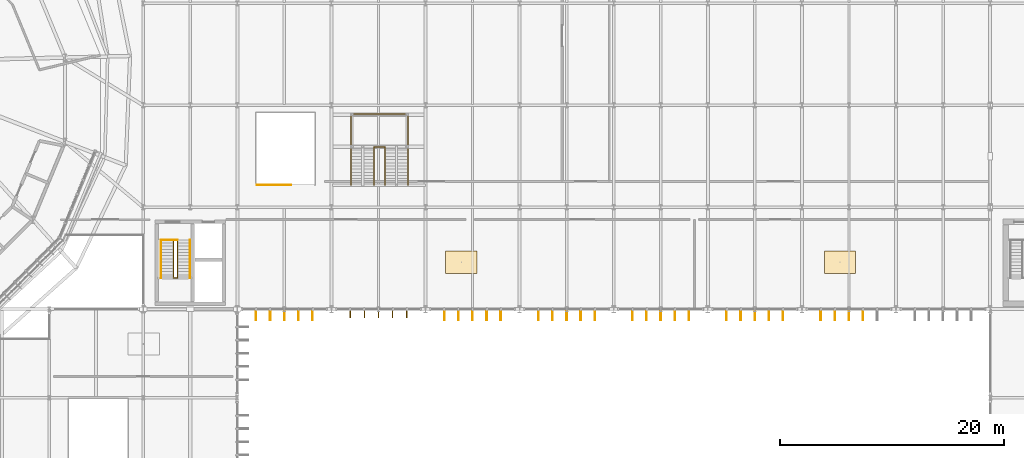
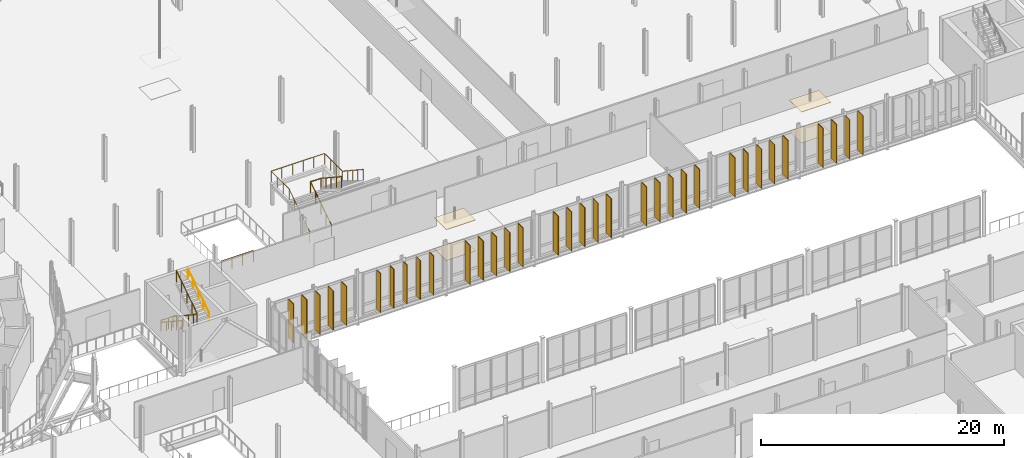
# One storey, part 130 of 139: 34 shading devices, 7 railings, 4 coverings.
"""IFC4 building model written with IfcOpenShell, lengths in metres."""

import ifcopenshell
import ifcopenshell.guid

model = None  # the IFC model being written
_history = None  # IfcOwnerHistory: only IFC2X3 demands one
_inside = {}  # id of a spatial element -> (the spatial element, [elements in it])
_under = {}  # id of a project, library or spatial element -> (it, [spatial elements below it])
_declared = {}  # id of a project -> (the project, [libraries it declares])
_typed = {}  # id of a type object -> (the type object, [elements of that type])
_made_of = {}  # id of a material, layer set ... -> (it, [elements and type objects made of it])


def new_model(schema):
    """Start an empty IFC model of exactly this schema.

    Asked for "IFC4X3", IfcOpenShell would pick the latest addendum, in which some entities
    have other attributes; the version numbers below select the first issue.
    IFC2X3 requires an IfcOwnerHistory on every rooted entity: one is made here for all.
    """
    global model, _history
    if schema == "IFC4X3":
        model = ifcopenshell.file(schema_version=(4, 3, 0, 0))
    else:
        model = ifcopenshell.file(schema=schema)
    _inside.clear()
    _under.clear()
    _declared.clear()
    _typed.clear()
    _made_of.clear()
    _history = None
    if model.schema == "IFC2X3":
        org = make("IfcOrganization", Name="unknown")
        user = make(
            "IfcPersonAndOrganization",
            ThePerson=make("IfcPerson", FamilyName="unknown"),
            TheOrganization=org,
        )
        app = make(
            "IfcApplication",
            ApplicationDeveloper=org,
            Version="unknown",
            ApplicationFullName="unknown",
            ApplicationIdentifier="unknown",
        )
        _history = make(
            "IfcOwnerHistory",
            OwningUser=user,
            OwningApplication=app,
            ChangeAction="ADDED",
            CreationDate=0,
        )
    return model


def make(cls, **values):
    """One entity of the class cls with the attributes given. An attribute that is None is left unset."""
    return model.create_entity(
        cls, **{name: value for name, value in values.items() if value is not None}
    )


def rooted(cls, **values):
    """An entity with a GlobalId (a new one), such as an element, a storey or a relation."""
    return make(cls, GlobalId=ifcopenshell.guid.new(), OwnerHistory=_history, **values)


def si_unit(unit_type, name, prefix=None):
    """IfcSIUnit, for example si_unit("LENGTHUNIT", "METRE", prefix="MILLI")."""
    return make("IfcSIUnit", UnitType=unit_type, Prefix=prefix, Name=name)


def derived_unit(unit_type, elements):
    """IfcDerivedUnit: a product of units, each with its exponent."""
    return make(
        "IfcDerivedUnit",
        Elements=[
            make("IfcDerivedUnitElement", Unit=unit, Exponent=power)
            for unit, power in elements
        ],
        UnitType=unit_type,
    )


def assignment(units):
    """IfcUnitAssignment: the units of a project."""
    return None if units is None else make("IfcUnitAssignment", Units=units)


def point(xyz):
    """IfcCartesianPoint."""
    return None if xyz is None else make("IfcCartesianPoint", Coordinates=xyz)


def direction(xyz):
    """IfcDirection."""
    return None if xyz is None else make("IfcDirection", DirectionRatios=xyz)


def frame(location, z_axis=None, x_axis=None):
    """IfcAxis2Placement3D, a coordinate frame: its origin and axes. An axis left out is left unset."""
    return make(
        "IfcAxis2Placement3D",
        Location=point(location),
        Axis=direction(z_axis),
        RefDirection=direction(x_axis),
    )


def frame_2d(location, x_axis=None):
    """IfcAxis2Placement2D, a coordinate frame in the plane: its origin and x axis."""
    return make(
        "IfcAxis2Placement2D", Location=point(location), RefDirection=direction(x_axis)
    )


def origin():
    """The frame at (0, 0, 0) with its axes left unset."""
    return frame((0.0, 0.0, 0.0))


def origin_2d():
    """The frame at (0, 0) in the plane with its x axis left unset."""
    return frame_2d((0.0, 0.0))


def place(relative_to, where):
    """IfcLocalPlacement: puts the frame where relative to a parent placement (None: the world)."""
    return make(
        "IfcLocalPlacement", PlacementRelTo=relative_to, RelativePlacement=where
    )


def context(
    kind, dimensions, precision=None, world=None, true_north=None, identifier=None
):
    """IfcGeometricRepresentationContext, for example the 3D "Model" context."""
    return make(
        "IfcGeometricRepresentationContext",
        ContextIdentifier=identifier,
        ContextType=kind,
        CoordinateSpaceDimension=dimensions,
        Precision=precision,
        WorldCoordinateSystem=world,
        TrueNorth=true_north,
    )


def subcontext(parent, identifier, kind, view, scale=None):
    """IfcGeometricRepresentationSubContext, for example "Body" below "Model"."""
    return make(
        "IfcGeometricRepresentationSubContext",
        ContextIdentifier=identifier,
        ContextType=kind,
        ParentContext=parent,
        TargetScale=scale,
        TargetView=view,
    )


def project(units=None, contexts=None):
    """IfcProject with its units and contexts."""
    return rooted(
        "IfcProject",
        Name="project",
        RepresentationContexts=contexts,
        UnitsInContext=assignment(units),
    )


def spatial(cls, under=None, at=None, **own):
    """A site, building, storey or space (cls), placed at a placement, below another one or the project."""
    s = rooted(cls, ObjectPlacement=at, **own)
    if under is not None:
        _under.setdefault(under.id(), (under, []))[1].append(s)
    return s


def polyline(points):
    """IfcPolyline through the points."""
    return make("IfcPolyline", Points=[point(p) for p in points])


def profile(cls, at=None, kind="AREA", **sizes):
    """A parametric profile (cls). Its sizes go by their IFC names, for example OverallWidth=200.0."""
    return make(cls, ProfileType=kind, Position=at, **sizes)


def rectangle(**sizes):
    """IfcRectangleProfileDef."""
    return profile("IfcRectangleProfileDef", **sizes)


def circle(**sizes):
    """IfcCircleProfileDef."""
    return profile("IfcCircleProfileDef", **sizes)


def outline(outer, holes=None, kind="AREA"):
    """IfcArbitraryClosedProfileDef: a profile drawn as a closed curve; with holes, ...WithVoids."""
    if holes is None:
        return make("IfcArbitraryClosedProfileDef", ProfileType=kind, OuterCurve=outer)
    return make(
        "IfcArbitraryProfileDefWithVoids",
        ProfileType=kind,
        OuterCurve=outer,
        InnerCurves=holes,
    )


def extrude(swept, where, along, depth):
    """IfcExtrudedAreaSolid: the profile swept, set in the frame where, extruded along a direction by depth."""
    return make(
        "IfcExtrudedAreaSolid",
        SweptArea=swept,
        Position=where,
        ExtrudedDirection=direction(along),
        Depth=depth,
    )


def shape(context_of_items, identifier, shape_type, items):
    """IfcShapeRepresentation: the items that make up one representation, for example the "Body"."""
    return make(
        "IfcShapeRepresentation",
        ContextOfItems=context_of_items,
        RepresentationIdentifier=identifier,
        RepresentationType=shape_type,
        Items=items,
    )


def material(Name=None, Category=None):
    """IfcMaterial."""
    return make("IfcMaterial", Name=Name, Category=Category)


def layer(
    of_material, thickness, ventilated=None, Name=None, Category=None, Priority=None
):
    """IfcMaterialLayer: one layer of a wall or slab, of a material (None: an air gap)."""
    return make(
        "IfcMaterialLayer",
        Material=of_material,
        LayerThickness=thickness,
        IsVentilated=ventilated,
        Name=Name,
        Category=Category,
        Priority=Priority,
    )


def layer_set(layers, Name=None):
    """IfcMaterialLayerSet."""
    return make("IfcMaterialLayerSet", MaterialLayers=layers, LayerSetName=Name)


def made_of(thing, what):
    """Note that an element or type object is made of a material, layer set ...; save() writes the relation."""
    if what is not None:
        _made_of.setdefault(what.id(), (what, []))[1].append(thing)
    return thing


def type_object(cls, material=None, **own):
    """A type object (cls), such as IfcWallType, which elements share."""
    return made_of(rooted(cls, **own), material)


def element(
    cls,
    number,
    at=None,
    inside=None,
    cuts=None,
    type_object=None,
    material=None,
    context=None,
    identifier="Body",
    shape_type=None,
    held_by="IfcProductDefinitionShape",
    body=None,
    shapes=None,
    **own,
):
    """One element of the class cls, such as IfcWall. Its Tag is "e" and its number.

    at: its placement. inside: the storey or other place that contains it. cuts: it is an
    opening in that element (IfcRelVoidsElement). A single representation is given by context,
    identifier, shape_type and body (its items); several are given by shapes. held_by: the class
    of the entity that holds the representations. save() writes the other relations.
    """
    e = rooted(cls, Tag="e%d" % number, ObjectPlacement=at, **own)
    if body is not None:
        shapes = [shape(context, identifier, shape_type, body)]
    if shapes is not None:
        e.Representation = make(held_by, Representations=shapes)
    if inside is not None:
        _inside.setdefault(inside.id(), (inside, []))[1].append(e)
    if cuts is not None:
        rooted(
            "IfcRelVoidsElement", RelatingBuildingElement=cuts, RelatedOpeningElement=e
        )
    if type_object is not None:
        _typed.setdefault(type_object.id(), (type_object, []))[1].append(e)
    return made_of(e, material)


def aggregate(whole, parts):
    """IfcRelAggregates: a whole, such as a stair, and the parts it consists of."""
    return rooted("IfcRelAggregates", RelatingObject=whole, RelatedObjects=parts)


def save(model, path):
    """Write the relations noted so far, then the file.

    IfcRelAggregates (storeys below a building ...), IfcRelContainedInSpatialStructure (elements
    in a storey), IfcRelDefinesByType, IfcRelAssociatesMaterial and IfcRelDeclares: one each for
    every whole, place, type object, material and project.
    """
    for whole, parts in _under.values():
        aggregate(whole, parts)
    for where, things in _inside.values():
        rooted(
            "IfcRelContainedInSpatialStructure",
            RelatedElements=things,
            RelatingStructure=where,
        )
    for kind, things in _typed.values():
        rooted("IfcRelDefinesByType", RelatedObjects=things, RelatingType=kind)
    for what, things in _made_of.values():
        rooted("IfcRelAssociatesMaterial", RelatedObjects=things, RelatingMaterial=what)
    for by, libraries in _declared.values():
        rooted("IfcRelDeclares", RelatingContext=by, RelatedDefinitions=libraries)
    model.write(path)


model = new_model("IFC4")

# Units and contexts
model_context = context("Model", 3, precision=1e-05, world=origin(), true_north=direction((0.0, 1.0)))
body_context = subcontext(model_context, "Body", "Model", "MODEL_VIEW")
ifc_project = project(units=[si_unit("LENGTHUNIT", "METRE"), si_unit("AREAUNIT", "SQUARE_METRE"), si_unit("VOLUMEUNIT", "CUBIC_METRE"), si_unit("PLANEANGLEUNIT", "RADIAN"), si_unit("MASSUNIT", "GRAM", prefix="KILO"), derived_unit("THERMALTRANSMITTANCEUNIT", [(si_unit("MASSUNIT", "GRAM", prefix="KILO"), 1), (si_unit("TIMEUNIT", "SECOND"), -3), (si_unit("THERMODYNAMICTEMPERATUREUNIT", "KELVIN"), -1)])], contexts=[model_context])

# Site, building, storey
site_placement = place(None, origin())
site = spatial("IfcSite", under=ifc_project, at=site_placement, CompositionType="ELEMENT")
building_placement = place(site_placement, origin())
building = spatial("IfcBuilding", under=site, at=building_placement, Name="Makaiwela Harbour Ferry Terminal", CompositionType="ELEMENT")
storey_placement = place(building_placement, frame((0.0, 0.0, 5.10009765625)))
storey = spatial("IfcBuildingStorey", under=building, at=storey_placement, Name="L01", CompositionType="ELEMENT", Elevation=5.10009765625)

# Shading devices
ifc_material_1 = material(Name="Marine anodised aluminium 6063-T6", Category="aluminium")
ifc_layer_1 = layer(ifc_material_1, 0.054931640625)
ifc_layer_set_1 = layer_set([ifc_layer_1], Name="Marine anodised aluminium 6063-T6")
shading_device_type_1 = type_object("IfcShadingDeviceType", Name="ENV-FIN-650", PredefinedType="USERDEFINED", material=ifc_layer_set_1)
for number, where, z_axis, x_axis, name in (
    (1, (86.52001953125, 48.9619140625, 0.161865234375), (0.0, 0.0, 1.0), (0.0, -1.0, 0.0), "Vertical Solar Fin SFN-0228"),
    (2, (85.260009765625, 48.9619140625, 0.161865234375), (0.0, 0.0, 1.0), (0.0, -1.0, 0.0), "Vertical Solar Fin SFN-0229"),
    (3, (84.0, 48.9619140625, 0.161865234375), (0.0, 0.0, 1.0), (0.0, -1.0, 0.0), "Vertical Solar Fin SFN-0230"),
    (4, (82.739990234375, 48.9619140625, 0.161865234375), (0.0, 0.0, 1.0), (0.0, -1.0, 0.0), "Vertical Solar Fin SFN-0231"),
    (5, (81.47998046875, 48.9619140625, 0.161865234375), (0.0, 0.0, 1.0), (0.0, -1.0, 0.0), "Vertical Solar Fin SFN-0232"),
):
    element("IfcShadingDevice", number, at=place(storey_placement, frame(where, z_axis=z_axis, x_axis=x_axis)), inside=storey, type_object=shading_device_type_1, Name=name, ObjectType="SOLAR FIN", PredefinedType="USERDEFINED", context=body_context, shape_type="SweptSolid", body=[
        extrude(rectangle(XDim=0.64990234375, YDim=0.054931640625, at=origin_2d()), origin(), (0.0, 0.0, 1.0), 3.93994140625),
    ])
ifc_material_2 = material(Name="Thermally modified Accoya timber and anodised aluminium", Category="wood")
ifc_layer_2 = layer(ifc_material_2, 0.06005859375)
ifc_layer_set_2 = layer_set([ifc_layer_2], Name="Thermally modified Accoya timber and anodised aluminium")
shading_device_type_2 = type_object("IfcShadingDeviceType", Name="ENV-FIN-850", PredefinedType="USERDEFINED", material=ifc_layer_set_2)
for number, where, z_axis, x_axis, name in (
    (6, (78.1201171875, 48.862060546875, 0.161865234375), (0.0, 0.0, 1.0), (0.0, -1.0, 0.0), "Vertical Solar Fin SFN-0208"),
    (7, (76.860107421875, 48.862060546875, 0.161865234375), (0.0, 0.0, 1.0), (0.0, -1.0, 0.0), "Vertical Solar Fin SFN-0209"),
    (8, (75.60009765625, 48.862060546875, 0.161865234375), (0.0, 0.0, 1.0), (0.0, -1.0, 0.0), "Vertical Solar Fin SFN-0210"),
    (9, (74.340087890625, 48.862060546875, 0.161865234375), (0.0, 0.0, 1.0), (0.0, -1.0, 0.0), "Vertical Solar Fin SFN-0211"),
    (10, (73.080078125, 48.862060546875, 0.161865234375), (0.0, 0.0, 1.0), (0.0, -1.0, 0.0), "Vertical Solar Fin SFN-0212"),
    (11, (94.919921875, 48.862060546875, 0.161865234375), (0.0, 0.0, 1.0), (0.0, -1.0, 0.0), "Vertical Solar Fin SFN-0238"),
    (12, (93.659912109375, 48.862060546875, 0.161865234375), (0.0, 0.0, 1.0), (0.0, -1.0, 0.0), "Vertical Solar Fin SFN-0239"),
    (13, (92.39990234375, 48.862060546875, 0.161865234375), (0.0, 0.0, 1.0), (0.0, -1.0, 0.0), "Vertical Solar Fin SFN-0240"),
    (14, (91.139892578125, 48.862060546875, 0.161865234375), (0.0, 0.0, 1.0), (0.0, -1.0, 0.0), "Vertical Solar Fin SFN-0241"),
    (15, (89.8798828125, 48.862060546875, 0.161865234375), (0.0, 0.0, 1.0), (0.0, -1.0, 0.0), "Vertical Solar Fin SFN-0242"),
    (16, (103.320068359375, 48.862060546875, 0.161865234375), (0.0, 0.0, 1.0), (0.0, -1.0, 0.0), "Vertical Solar Fin SFN-0248"),
    (17, (102.06005859375, 48.862060546875, 0.161865234375), (0.0, 0.0, 1.0), (0.0, -1.0, 0.0), "Vertical Solar Fin SFN-0249"),
    (18, (100.800048828125, 48.862060546875, 0.161865234375), (0.0, 0.0, 1.0), (0.0, -1.0, 0.0), "Vertical Solar Fin SFN-0250"),
    (19, (99.5400390625, 48.862060546875, 0.161865234375), (0.0, 0.0, 1.0), (0.0, -1.0, 0.0), "Vertical Solar Fin SFN-0251"),
    (20, (98.280029296875, 48.862060546875, 0.161865234375), (0.0, 0.0, 1.0), (0.0, -1.0, 0.0), "Vertical Solar Fin SFN-0252"),
    (21, (111.719970703125, 48.862060546875, 0.161865234375), (0.0, 0.0, 1.0), (0.0, -1.0, 0.0), "Vertical Solar Fin SFN-0263"),
    (22, (110.4599609375, 48.862060546875, 0.161865234375), (0.0, 0.0, 1.0), (0.0, -1.0, 0.0), "Vertical Solar Fin SFN-0264"),
    (23, (109.199951171875, 48.862060546875, 0.161865234375), (0.0, 0.0, 1.0), (0.0, -1.0, 0.0), "Vertical Solar Fin SFN-0265"),
    (24, (107.93994140625, 48.862060546875, 0.161865234375), (0.0, 0.0, 1.0), (0.0, -1.0, 0.0), "Vertical Solar Fin SFN-0266"),
    (25, (106.679931640625, 48.862060546875, 0.161865234375), (0.0, 0.0, 1.0), (0.0, -1.0, 0.0), "Vertical Solar Fin SFN-0267"),
    (26, (120.1201171875, 48.862060546875, 0.161865234375), (0.0, 0.0, 1.0), (0.0, -1.0, 0.0), "Vertical Solar Fin SFN-0278"),
    (27, (118.860107421875, 48.862060546875, 0.161865234375), (0.0, 0.0, 1.0), (0.0, -1.0, 0.0), "Vertical Solar Fin SFN-0279"),
    (28, (117.60009765625, 48.862060546875, 0.161865234375), (0.0, 0.0, 1.0), (0.0, -1.0, 0.0), "Vertical Solar Fin SFN-0280"),
    (29, (116.340087890625, 48.862060546875, 0.161865234375), (0.0, 0.0, 1.0), (0.0, -1.0, 0.0), "Vertical Solar Fin SFN-0281"),
    (30, (115.080078125, 48.862060546875, 0.161865234375), (0.0, 0.0, 1.0), (0.0, -1.0, 0.0), "Vertical Solar Fin SFN-0282"),
    (31, (127.260009765625, 48.862060546875, 0.161865234375), (0.0, 0.0, 1.0), (0.0, -1.0, 0.0), "Vertical Solar Fin SFN-0299"),
    (32, (126.0, 48.862060546875, 0.161865234375), (0.0, 0.0, 1.0), (0.0, -1.0, 0.0), "Vertical Solar Fin SFN-0300"),
    (33, (124.739990234375, 48.862060546875, 0.161865234375), (0.0, 0.0, 1.0), (0.0, -1.0, 0.0), "Vertical Solar Fin SFN-0301"),
    (34, (123.47998046875, 48.862060546875, 0.161865234375), (0.0, 0.0, 1.0), (0.0, -1.0, 0.0), "Vertical Solar Fin SFN-0302"),
):
    element("IfcShadingDevice", number, at=place(storey_placement, frame(where, z_axis=z_axis, x_axis=x_axis)), inside=storey, type_object=shading_device_type_2, Name=name, ObjectType="SOLAR FIN", PredefinedType="USERDEFINED", context=body_context, shape_type="SweptSolid", body=[
        extrude(rectangle(XDim=0.85009765625, YDim=0.06005859375, at=origin_2d()), origin(), (0.0, 0.0, 1.0), 3.93994140625),
    ])

# Coverings
ifc_material_3 = material(Name="Thermally modified Accoya timber acoustic slat ceiling", Category="wood")
ifc_layer_3 = layer(ifc_material_3, 0.0400390625)
ifc_layer_set_3 = layer_set([ifc_layer_3], Name="Thermally modified Accoya timber acoustic slat ceiling")
covering_type_1 = type_object("IfcCoveringType", Name="INT-COV-CEIL", PredefinedType="CEILING", material=ifc_layer_set_3)
covering_1_placement = place(storey_placement, frame((0.0, 0.0, 3.099853515625)))
element("IfcCovering", 35, at=covering_1_placement, inside=storey, type_object=covering_type_1, Name="Acoustic Timber Ceiling CLG-040", PredefinedType="CEILING", context=body_context, shape_type="SweptSolid", body=[
    extrude(outline(polyline([(90.0, 52.60009765625), (92.800048828125, 52.60009765625), (92.800048828125, 54.60009765625), (90.0, 54.60009765625), (90.0, 52.60009765625)])), origin(), (0.0, 0.0, 1.0), 0.0400390625),
])
covering_2_placement = place(storey_placement, frame((0.0, 0.0, 3.099853515625)))
element("IfcCovering", 36, at=covering_2_placement, inside=storey, type_object=covering_type_1, Name="Acoustic Timber Ceiling CLG-041", PredefinedType="CEILING", context=body_context, shape_type="SweptSolid", body=[
    extrude(outline(polyline([(123.800048828125, 52.60009765625), (126.60009765625, 52.60009765625), (126.60009765625, 54.60009765625), (123.800048828125, 54.60009765625), (123.800048828125, 52.60009765625)])), origin(), (0.0, 0.0, 1.0), 0.0400390625),
])
ifc_material_4 = material(Name="Honed coral-aggregate epoxy terrazzo flooring", Category="concrete")
ifc_layer_4 = layer(ifc_material_4, 0.02490234375)
ifc_layer_set_4 = layer_set([ifc_layer_4], Name="Honed coral-aggregate epoxy terrazzo flooring")
covering_type_2 = type_object("IfcCoveringType", Name="INT-COV-FLR", PredefinedType="FLOORING", material=ifc_layer_set_4)
covering_3_placement = place(storey_placement, origin())
element("IfcCovering", 37, at=covering_3_placement, inside=storey, type_object=covering_type_2, Name="Terrazzo Flooring FLG-040", PredefinedType="FLOORING", context=body_context, shape_type="SweptSolid", body=[
    extrude(outline(polyline([(90.0, 52.60009765625), (92.800048828125, 52.60009765625), (92.800048828125, 54.60009765625), (90.0, 54.60009765625), (90.0, 52.60009765625)])), origin(), (0.0, 0.0, 1.0), 0.02490234375),
])
covering_4_placement = place(storey_placement, origin())
element("IfcCovering", 38, at=covering_4_placement, inside=storey, type_object=covering_type_2, Name="Terrazzo Flooring FLG-041", PredefinedType="FLOORING", context=body_context, shape_type="SweptSolid", body=[
    extrude(outline(polyline([(123.800048828125, 52.60009765625), (126.60009765625, 52.60009765625), (126.60009765625, 54.60009765625), (123.800048828125, 54.60009765625), (123.800048828125, 52.60009765625)])), origin(), (0.0, 0.0, 1.0), 0.02490234375),
])

# Railings
ifc_material_5 = material(Name="Marine grade 316L brushed stainless steel", Category="steel")
railing_type_1 = type_object("IfcRailingType", Name="INT-RL-GRD110", PredefinedType="GUARDRAIL", material=ifc_material_5)
railing_1_placement = place(storey_placement, frame((64.570068359375, 55.60009765625, 0.0)))
element("IfcRailing", 39, at=railing_1_placement, inside=storey, type_object=railing_type_1, Name="Stair top well guardrail RL-0062", PredefinedType="GUARDRAIL", context=body_context, shape_type="SweptSolid", body=[
    extrude(circle(Radius=0.02392578125, at=origin_2d()), frame((0.0, 0.0, 1.09619140625), z_axis=(1.0, 0.0, 0.0), x_axis=(0.0, 1.0, 0.0)), (0.0, 0.0, 1.0), 1.47998046875),
    extrude(circle(Radius=0.02099609375, at=origin_2d()), origin(), (0.0, 0.0, 1.0), 1.072021484375),
    extrude(circle(Radius=0.02099609375, at=origin_2d()), frame((0.739990234375, 0.0, 0.0)), (0.0, 0.0, 1.0), 1.072021484375),
    extrude(circle(Radius=0.02099609375, at=origin_2d()), frame((1.47998046875, 0.0, 0.0)), (0.0, 0.0, 1.0), 1.072021484375),
])
railing_2_placement = place(storey_placement, frame((65.7099609375, 55.60009765625, 0.0)))
element("IfcRailing", 40, at=railing_2_placement, inside=storey, type_object=railing_type_1, Name="Stair well guardrail RL-0065", PredefinedType="GUARDRAIL", context=body_context, shape_type="SweptSolid", body=[
    extrude(circle(Radius=0.02392578125, at=origin_2d()), frame((0.0, 0.0, 1.09619140625), z_axis=(0.0, -0.835429331894, 0.549597881557), x_axis=(1.0, 0.0, 0.0)), (0.0, 0.0, 1.0), 4.093994140625),
    extrude(circle(Radius=0.02392578125, at=origin_2d()), frame((0.0, -3.420166015625, 3.34619140625), z_axis=(1.0, 0.0, 0.0), x_axis=(0.0, 1.0, 0.0)), (0.0, 0.0, 1.0), 0.340087890625),
    extrude(circle(Radius=0.02392578125, at=origin_2d()), frame((0.340087890625, -3.420166015625, 3.34619140625), z_axis=(0.0, 0.835429331894, 0.549597881557), x_axis=(-1.0, 0.0, 0.0)), (0.0, 0.0, 1.0), 4.093994140625),
    extrude(circle(Radius=0.02099609375, at=origin_2d()), origin(), (0.0, 0.0, 1.0), 1.072021484375),
    extrude(circle(Radius=0.02099609375, at=origin_2d()), frame((0.0, -0.85498046875, 0.5625)), (0.0, 0.0, 1.0), 1.072021484375),
    extrude(circle(Radius=0.02099609375, at=origin_2d()), frame((0.0, -1.7099609375, 1.125)), (0.0, 0.0, 1.0), 1.072021484375),
    extrude(circle(Radius=0.02099609375, at=origin_2d()), frame((0.0, -2.565185546875, 1.6875)), (0.0, 0.0, 1.0), 1.072021484375),
    extrude(circle(Radius=0.02099609375, at=origin_2d()), frame((0.0, -3.420166015625, 2.25)), (0.0, 0.0, 1.0), 1.072021484375),
    extrude(circle(Radius=0.02099609375, at=origin_2d()), frame((0.340087890625, -3.420166015625, 2.25)), (0.0, 0.0, 1.0), 1.072021484375),
    extrude(circle(Radius=0.02099609375, at=origin_2d()), frame((0.340087890625, -2.565185546875, 2.8125)), (0.0, 0.0, 1.0), 1.072021484375),
    extrude(circle(Radius=0.02099609375, at=origin_2d()), frame((0.340087890625, -1.7099609375, 3.375)), (0.0, 0.0, 1.0), 1.072021484375),
    extrude(circle(Radius=0.02099609375, at=origin_2d()), frame((0.340087890625, -0.85498046875, 3.9375)), (0.0, 0.0, 1.0), 1.072021484375),
    extrude(circle(Radius=0.02099609375, at=origin_2d()), frame((0.340087890625, 0.0, 4.5)), (0.0, 0.0, 1.0), 1.072021484375),
])
railing_3_placement = place(storey_placement, frame((73.14990234375, 60.47998046875, 0.0)))
element("IfcRailing", 41, at=railing_3_placement, inside=storey, type_object=railing_type_1, Name="Stair top well guardrail RL-0094", PredefinedType="GUARDRAIL", context=body_context, shape_type="SweptSolid", body=[
    extrude(circle(Radius=0.02392578125, at=origin_2d()), frame((0.0, 0.0, 1.09619140625), z_axis=(1.0, 0.0, 0.0), x_axis=(0.0, 1.0, 0.0)), (0.0, 0.0, 1.0), 3.0400390625),
    extrude(circle(Radius=0.02099609375, at=origin_2d()), origin(), (0.0, 0.0, 1.0), 1.072021484375),
    extrude(circle(Radius=0.02099609375, at=origin_2d()), frame((1.013427734375, 0.0, 0.0)), (0.0, 0.0, 1.0), 1.072021484375),
    extrude(circle(Radius=0.02099609375, at=origin_2d()), frame((2.026611328125, 0.0, 0.0)), (0.0, 0.0, 1.0), 1.072021484375),
    extrude(circle(Radius=0.02099609375, at=origin_2d()), frame((3.0400390625, 0.0, 0.0)), (0.0, 0.0, 1.0), 1.072021484375),
])
railing_4_placement = place(storey_placement, frame((83.610107421875, 60.47998046875, 0.0)))
element("IfcRailing", 42, at=railing_4_placement, inside=storey, type_object=railing_type_1, Name="Stair well guardrail RL-0097", PredefinedType="GUARDRAIL", context=body_context, shape_type="SweptSolid", body=[
    extrude(circle(Radius=0.02392578125, at=origin_2d()), frame((0.0, 0.0, 1.09619140625), z_axis=(0.0, 0.835411317272, 0.549625264133), x_axis=(-1.0, 0.0, 0.0)), (0.0, 0.0, 1.0), 4.09375),
    extrude(circle(Radius=0.02392578125, at=origin_2d()), frame((0.0, 3.419921875, 3.34619140625), z_axis=(1.0, 0.0, 0.0), x_axis=(0.0, 1.0, 0.0)), (0.0, 0.0, 1.0), 0.97998046875),
    extrude(circle(Radius=0.02392578125, at=origin_2d()), frame((0.97998046875, 3.419921875, 3.34619140625), z_axis=(0.0, -0.835411317272, 0.549625264133), x_axis=(1.0, 0.0, 0.0)), (0.0, 0.0, 1.0), 4.09375),
    extrude(circle(Radius=0.02099609375, at=origin_2d()), origin(), (0.0, 0.0, 1.0), 1.072021484375),
    extrude(circle(Radius=0.02099609375, at=origin_2d()), frame((0.0, 0.85498046875, 0.5625)), (0.0, 0.0, 1.0), 1.072021484375),
    extrude(circle(Radius=0.02099609375, at=origin_2d()), frame((0.0, 1.7099609375, 1.125)), (0.0, 0.0, 1.0), 1.072021484375),
    extrude(circle(Radius=0.02099609375, at=origin_2d()), frame((0.0, 2.56494140625, 1.6875)), (0.0, 0.0, 1.0), 1.072021484375),
    extrude(circle(Radius=0.02099609375, at=origin_2d()), frame((0.0, 3.419921875, 2.25)), (0.0, 0.0, 1.0), 1.072021484375),
    extrude(circle(Radius=0.02099609375, at=origin_2d()), frame((0.97998046875, 3.419921875, 2.25)), (0.0, 0.0, 1.0), 1.072021484375),
    extrude(circle(Radius=0.02099609375, at=origin_2d()), frame((0.97998046875, 2.56494140625, 2.8125)), (0.0, 0.0, 1.0), 1.072021484375),
    extrude(circle(Radius=0.02099609375, at=origin_2d()), frame((0.97998046875, 1.7099609375, 3.375)), (0.0, 0.0, 1.0), 1.072021484375),
    extrude(circle(Radius=0.02099609375, at=origin_2d()), frame((0.97998046875, 0.85498046875, 3.9375)), (0.0, 0.0, 1.0), 1.072021484375),
    extrude(circle(Radius=0.02099609375, at=origin_2d()), frame((0.97998046875, 0.0, 4.5)), (0.0, 0.0, 1.0), 1.072021484375),
])
railing_5_placement = place(storey_placement, frame((81.56005859375, 60.47998046875, 0.0)))
element("IfcRailing", 43, at=railing_5_placement, inside=storey, type_object=railing_type_1, Name="Freestanding stair outer guardrail RL-0099", PredefinedType="GUARDRAIL", context=body_context, shape_type="SweptSolid", body=[
    extrude(circle(Radius=0.02392578125, at=origin_2d()), frame((0.0, 0.0, 1.09619140625), z_axis=(0.0, 0.835411317272, 0.549625264133), x_axis=(-1.0, 0.0, 0.0)), (0.0, 0.0, 1.0), 4.09375),
    extrude(circle(Radius=0.02392578125, at=origin_2d()), frame((0.0, 3.419921875, 3.34619140625), z_axis=(0.0, 1.0, 0.0), x_axis=(-1.0, 0.0, 0.0)), (0.0, 0.0, 1.0), 2.940185546875),
    extrude(circle(Radius=0.02392578125, at=origin_2d()), frame((0.0, 6.360107421875, 3.34619140625), z_axis=(1.0, 0.0, 0.0), x_axis=(0.0, 1.0, 0.0)), (0.0, 0.0, 1.0), 5.079833984375),
    extrude(circle(Radius=0.02392578125, at=origin_2d()), frame((5.079833984375, 6.360107421875, 3.34619140625), z_axis=(0.0, -1.0, 0.0), x_axis=(1.0, 0.0, 0.0)), (0.0, 0.0, 1.0), 2.940185546875),
    extrude(circle(Radius=0.02392578125, at=origin_2d()), frame((5.079833984375, 3.419921875, 3.34619140625), z_axis=(0.0, -0.835411317272, 0.549625264133), x_axis=(1.0, 0.0, 0.0)), (0.0, 0.0, 1.0), 4.09375),
    extrude(circle(Radius=0.02099609375, at=origin_2d()), origin(), (0.0, 0.0, 1.0), 1.072021484375),
    extrude(circle(Radius=0.02099609375, at=origin_2d()), frame((0.0, 0.85498046875, 0.5625)), (0.0, 0.0, 1.0), 1.072021484375),
    extrude(circle(Radius=0.02099609375, at=origin_2d()), frame((0.0, 1.7099609375, 1.125)), (0.0, 0.0, 1.0), 1.072021484375),
    extrude(circle(Radius=0.02099609375, at=origin_2d()), frame((0.0, 2.56494140625, 1.6875)), (0.0, 0.0, 1.0), 1.072021484375),
    extrude(circle(Radius=0.02099609375, at=origin_2d()), frame((0.0, 3.419921875, 2.25)), (0.0, 0.0, 1.0), 1.072021484375),
    extrude(circle(Radius=0.02099609375, at=origin_2d()), frame((0.0, 4.39990234375, 2.25)), (0.0, 0.0, 1.0), 1.072021484375),
    extrude(circle(Radius=0.02099609375, at=origin_2d()), frame((0.0, 5.380126953125, 2.25)), (0.0, 0.0, 1.0), 1.072021484375),
    extrude(circle(Radius=0.02099609375, at=origin_2d()), frame((0.0, 6.360107421875, 2.25)), (0.0, 0.0, 1.0), 1.072021484375),
    extrude(circle(Radius=0.02099609375, at=origin_2d()), frame((1.015869140625, 6.360107421875, 2.25)), (0.0, 0.0, 1.0), 1.072021484375),
    extrude(circle(Radius=0.02099609375, at=origin_2d()), frame((2.031982421875, 6.360107421875, 2.25)), (0.0, 0.0, 1.0), 1.072021484375),
    extrude(circle(Radius=0.02099609375, at=origin_2d()), frame((3.0478515625, 6.360107421875, 2.25)), (0.0, 0.0, 1.0), 1.072021484375),
    extrude(circle(Radius=0.02099609375, at=origin_2d()), frame((4.06396484375, 6.360107421875, 2.25)), (0.0, 0.0, 1.0), 1.072021484375),
    extrude(circle(Radius=0.02099609375, at=origin_2d()), frame((5.079833984375, 6.360107421875, 2.25)), (0.0, 0.0, 1.0), 1.072021484375),
    extrude(circle(Radius=0.02099609375, at=origin_2d()), frame((5.079833984375, 5.380126953125, 2.25)), (0.0, 0.0, 1.0), 1.072021484375),
    extrude(circle(Radius=0.02099609375, at=origin_2d()), frame((5.079833984375, 4.39990234375, 2.25)), (0.0, 0.0, 1.0), 1.072021484375),
    extrude(circle(Radius=0.02099609375, at=origin_2d()), frame((5.079833984375, 3.419921875, 2.25)), (0.0, 0.0, 1.0), 1.072021484375),
    extrude(circle(Radius=0.02099609375, at=origin_2d()), frame((5.079833984375, 2.56494140625, 2.8125)), (0.0, 0.0, 1.0), 1.072021484375),
    extrude(circle(Radius=0.02099609375, at=origin_2d()), frame((5.079833984375, 1.7099609375, 3.375)), (0.0, 0.0, 1.0), 1.072021484375),
    extrude(circle(Radius=0.02099609375, at=origin_2d()), frame((5.079833984375, 0.85498046875, 3.9375)), (0.0, 0.0, 1.0), 1.072021484375),
    extrude(circle(Radius=0.02099609375, at=origin_2d()), frame((5.079833984375, 0.0, 4.5)), (0.0, 0.0, 1.0), 1.072021484375),
])
railing_type_2 = type_object("IfcRailingType", Name="INT-RL-HND090", PredefinedType="HANDRAIL", material=ifc_material_5)
railing_6_placement = place(storey_placement, frame((64.60009765625, 55.60009765625, 0.0)))
element("IfcRailing", 44, at=railing_6_placement, inside=storey, type_object=railing_type_2, Name="Stair wall handrail RL-0067", PredefinedType="HANDRAIL", context=body_context, shape_type="SweptSolid", body=[
    extrude(circle(Radius=0.02392578125, at=origin_2d()), frame((0.0, 0.0, 0.89111328125), z_axis=(0.0, -0.835429331894, 0.549597881557), x_axis=(1.0, 0.0, 0.0)), (0.0, 0.0, 1.0), 4.093994140625),
    extrude(circle(Radius=0.02099609375, at=origin_2d()), origin(), (0.0, 0.0, 1.0), 0.866943359375),
    extrude(circle(Radius=0.02099609375, at=origin_2d()), frame((0.0, -0.85498046875, 0.5625)), (0.0, 0.0, 1.0), 0.866943359375),
    extrude(circle(Radius=0.02099609375, at=origin_2d()), frame((0.0, -1.7099609375, 1.125)), (0.0, 0.0, 1.0), 0.866943359375),
    extrude(circle(Radius=0.02099609375, at=origin_2d()), frame((0.0, -2.565185546875, 1.6875)), (0.0, 0.0, 1.0), 0.866943359375),
    extrude(circle(Radius=0.02099609375, at=origin_2d()), frame((0.0, -3.420166015625, 2.25)), (0.0, 0.0, 1.0), 0.866943359375),
])
railing_7_placement = place(storey_placement, frame((67.159912109375, 52.179931640625, 2.25)))
element("IfcRailing", 45, at=railing_7_placement, inside=storey, type_object=railing_type_2, Name="Stair upper handrail RL-0068", PredefinedType="HANDRAIL", context=body_context, shape_type="SweptSolid", body=[
    extrude(circle(Radius=0.02392578125, at=origin_2d()), frame((0.0, 0.0, 0.89111328125), z_axis=(0.0, 0.835429331894, 0.549597881557), x_axis=(-1.0, 0.0, 0.0)), (0.0, 0.0, 1.0), 4.093994140625),
    extrude(circle(Radius=0.02099609375, at=origin_2d()), origin(), (0.0, 0.0, 1.0), 0.866943359375),
    extrude(circle(Radius=0.02099609375, at=origin_2d()), frame((0.0, 0.85498046875, 0.5625)), (0.0, 0.0, 1.0), 0.866943359375),
    extrude(circle(Radius=0.02099609375, at=origin_2d()), frame((0.0, 1.7099609375, 1.125)), (0.0, 0.0, 1.0), 0.866943359375),
    extrude(circle(Radius=0.02099609375, at=origin_2d()), frame((0.0, 2.565185546875, 1.6875)), (0.0, 0.0, 1.0), 0.866943359375),
    extrude(circle(Radius=0.02099609375, at=origin_2d()), frame((0.0, 3.420166015625, 2.25)), (0.0, 0.0, 1.0), 0.866943359375),
])

save(model, "model.ifc")
